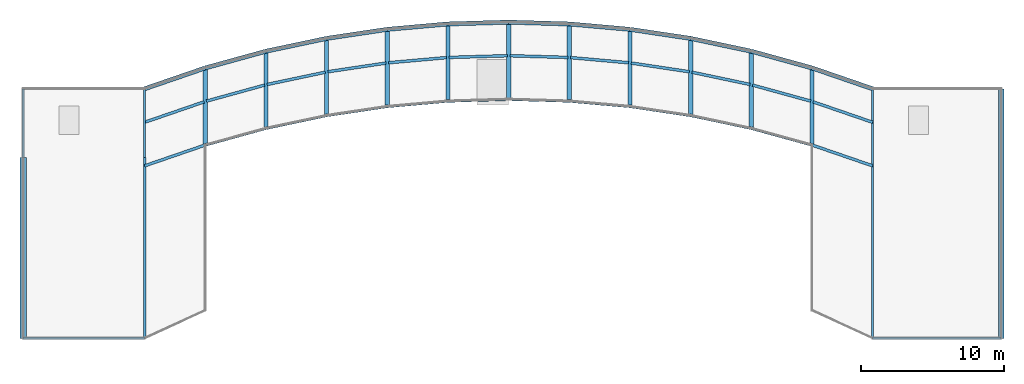
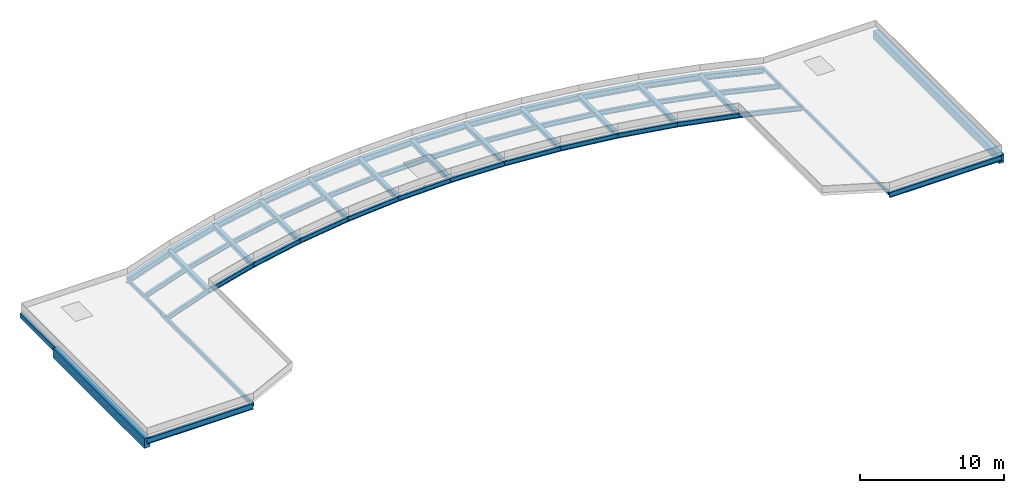
# One storey, part 1 of 3: 55 beams.
"""IFC4 building model written with IfcOpenShell, lengths in metres."""

import ifcopenshell
import ifcopenshell.guid

model = None  # the IFC model being written
_history = None  # IfcOwnerHistory: only IFC2X3 demands one
_inside = {}  # id of a spatial element -> (the spatial element, [elements in it])
_under = {}  # id of a project, library or spatial element -> (it, [spatial elements below it])
_declared = {}  # id of a project -> (the project, [libraries it declares])
_typed = {}  # id of a type object -> (the type object, [elements of that type])
_made_of = {}  # id of a material, layer set ... -> (it, [elements and type objects made of it])


def new_model(schema):
    """Start an empty IFC model of exactly this schema.

    Asked for "IFC4X3", IfcOpenShell would pick the latest addendum, in which some entities
    have other attributes; the version numbers below select the first issue.
    IFC2X3 requires an IfcOwnerHistory on every rooted entity: one is made here for all.
    """
    global model, _history
    if schema == "IFC4X3":
        model = ifcopenshell.file(schema_version=(4, 3, 0, 0))
    else:
        model = ifcopenshell.file(schema=schema)
    _inside.clear()
    _under.clear()
    _declared.clear()
    _typed.clear()
    _made_of.clear()
    _history = None
    if model.schema == "IFC2X3":
        org = make("IfcOrganization", Name="unknown")
        user = make(
            "IfcPersonAndOrganization",
            ThePerson=make("IfcPerson", FamilyName="unknown"),
            TheOrganization=org,
        )
        app = make(
            "IfcApplication",
            ApplicationDeveloper=org,
            Version="unknown",
            ApplicationFullName="unknown",
            ApplicationIdentifier="unknown",
        )
        _history = make(
            "IfcOwnerHistory",
            OwningUser=user,
            OwningApplication=app,
            ChangeAction="ADDED",
            CreationDate=0,
        )
    return model


def make(cls, **values):
    """One entity of the class cls with the attributes given. An attribute that is None is left unset."""
    return model.create_entity(
        cls, **{name: value for name, value in values.items() if value is not None}
    )


def rooted(cls, **values):
    """An entity with a GlobalId (a new one), such as an element, a storey or a relation."""
    return make(cls, GlobalId=ifcopenshell.guid.new(), OwnerHistory=_history, **values)


def si_unit(unit_type, name, prefix=None):
    """IfcSIUnit, for example si_unit("LENGTHUNIT", "METRE", prefix="MILLI")."""
    return make("IfcSIUnit", UnitType=unit_type, Prefix=prefix, Name=name)


def assignment(units):
    """IfcUnitAssignment: the units of a project."""
    return None if units is None else make("IfcUnitAssignment", Units=units)


def point(xyz):
    """IfcCartesianPoint."""
    return None if xyz is None else make("IfcCartesianPoint", Coordinates=xyz)


def direction(xyz):
    """IfcDirection."""
    return None if xyz is None else make("IfcDirection", DirectionRatios=xyz)


def frame(location, z_axis=None, x_axis=None):
    """IfcAxis2Placement3D, a coordinate frame: its origin and axes. An axis left out is left unset."""
    return make(
        "IfcAxis2Placement3D",
        Location=point(location),
        Axis=direction(z_axis),
        RefDirection=direction(x_axis),
    )


def frame_2d(location, x_axis=None):
    """IfcAxis2Placement2D, a coordinate frame in the plane: its origin and x axis."""
    return make(
        "IfcAxis2Placement2D", Location=point(location), RefDirection=direction(x_axis)
    )


def origin():
    """The frame at (0, 0, 0) with its axes left unset."""
    return frame((0.0, 0.0, 0.0))


def origin_2d():
    """The frame at (0, 0) in the plane with its x axis left unset."""
    return frame_2d((0.0, 0.0))


def place(relative_to, where):
    """IfcLocalPlacement: puts the frame where relative to a parent placement (None: the world)."""
    return make(
        "IfcLocalPlacement", PlacementRelTo=relative_to, RelativePlacement=where
    )


def context(
    kind, dimensions, precision=None, world=None, true_north=None, identifier=None
):
    """IfcGeometricRepresentationContext, for example the 3D "Model" context."""
    return make(
        "IfcGeometricRepresentationContext",
        ContextIdentifier=identifier,
        ContextType=kind,
        CoordinateSpaceDimension=dimensions,
        Precision=precision,
        WorldCoordinateSystem=world,
        TrueNorth=true_north,
    )


def subcontext(parent, identifier, kind, view, scale=None):
    """IfcGeometricRepresentationSubContext, for example "Body" below "Model"."""
    return make(
        "IfcGeometricRepresentationSubContext",
        ContextIdentifier=identifier,
        ContextType=kind,
        ParentContext=parent,
        TargetScale=scale,
        TargetView=view,
    )


def project(units=None, contexts=None):
    """IfcProject with its units and contexts."""
    return rooted(
        "IfcProject",
        Name="project",
        RepresentationContexts=contexts,
        UnitsInContext=assignment(units),
    )


def spatial(cls, under=None, at=None, **own):
    """A site, building, storey or space (cls), placed at a placement, below another one or the project."""
    s = rooted(cls, ObjectPlacement=at, **own)
    if under is not None:
        _under.setdefault(under.id(), (under, []))[1].append(s)
    return s


def profile(cls, at=None, kind="AREA", **sizes):
    """A parametric profile (cls). Its sizes go by their IFC names, for example OverallWidth=200.0."""
    return make(cls, ProfileType=kind, Position=at, **sizes)


def rectangle(**sizes):
    """IfcRectangleProfileDef."""
    return profile("IfcRectangleProfileDef", **sizes)


def hollow_rectangle(**sizes):
    """IfcRectangleHollowProfileDef."""
    return profile("IfcRectangleHollowProfileDef", **sizes)


def i_section(**sizes):
    """IfcIShapeProfileDef."""
    return profile("IfcIShapeProfileDef", **sizes)


def extrude(swept, where, along, depth):
    """IfcExtrudedAreaSolid: the profile swept, set in the frame where, extruded along a direction by depth."""
    return make(
        "IfcExtrudedAreaSolid",
        SweptArea=swept,
        Position=where,
        ExtrudedDirection=direction(along),
        Depth=depth,
    )


def shape(context_of_items, identifier, shape_type, items):
    """IfcShapeRepresentation: the items that make up one representation, for example the "Body"."""
    return make(
        "IfcShapeRepresentation",
        ContextOfItems=context_of_items,
        RepresentationIdentifier=identifier,
        RepresentationType=shape_type,
        Items=items,
    )


def material(Name=None, Category=None):
    """IfcMaterial."""
    return make("IfcMaterial", Name=Name, Category=Category)


def material_profile(
    of_material, cross_section, Name=None, Category=None, Priority=None
):
    """IfcMaterialProfile: a cross section and its material."""
    return make(
        "IfcMaterialProfile",
        Name=Name,
        Material=of_material,
        Profile=cross_section,
        Priority=Priority,
        Category=Category,
    )


def profile_set(profiles, Name=None, composite=None):
    """IfcMaterialProfileSet."""
    return make(
        "IfcMaterialProfileSet",
        Name=Name,
        MaterialProfiles=profiles,
        CompositeProfile=composite,
    )


def made_of(thing, what):
    """Note that an element or type object is made of a material, layer set ...; save() writes the relation."""
    if what is not None:
        _made_of.setdefault(what.id(), (what, []))[1].append(thing)
    return thing


def type_object(cls, material=None, **own):
    """A type object (cls), such as IfcWallType, which elements share."""
    return made_of(rooted(cls, **own), material)


def element(
    cls,
    number,
    at=None,
    inside=None,
    cuts=None,
    type_object=None,
    material=None,
    context=None,
    identifier="Body",
    shape_type=None,
    held_by="IfcProductDefinitionShape",
    body=None,
    shapes=None,
    **own,
):
    """One element of the class cls, such as IfcWall. Its Tag is "e" and its number.

    at: its placement. inside: the storey or other place that contains it. cuts: it is an
    opening in that element (IfcRelVoidsElement). A single representation is given by context,
    identifier, shape_type and body (its items); several are given by shapes. held_by: the class
    of the entity that holds the representations. save() writes the other relations.
    """
    e = rooted(cls, Tag="e%d" % number, ObjectPlacement=at, **own)
    if body is not None:
        shapes = [shape(context, identifier, shape_type, body)]
    if shapes is not None:
        e.Representation = make(held_by, Representations=shapes)
    if inside is not None:
        _inside.setdefault(inside.id(), (inside, []))[1].append(e)
    if cuts is not None:
        rooted(
            "IfcRelVoidsElement", RelatingBuildingElement=cuts, RelatedOpeningElement=e
        )
    if type_object is not None:
        _typed.setdefault(type_object.id(), (type_object, []))[1].append(e)
    return made_of(e, material)


def aggregate(whole, parts):
    """IfcRelAggregates: a whole, such as a stair, and the parts it consists of."""
    return rooted("IfcRelAggregates", RelatingObject=whole, RelatedObjects=parts)


def save(model, path):
    """Write the relations noted so far, then the file.

    IfcRelAggregates (storeys below a building ...), IfcRelContainedInSpatialStructure (elements
    in a storey), IfcRelDefinesByType, IfcRelAssociatesMaterial and IfcRelDeclares: one each for
    every whole, place, type object, material and project.
    """
    for whole, parts in _under.values():
        aggregate(whole, parts)
    for where, things in _inside.values():
        rooted(
            "IfcRelContainedInSpatialStructure",
            RelatedElements=things,
            RelatingStructure=where,
        )
    for kind, things in _typed.values():
        rooted("IfcRelDefinesByType", RelatedObjects=things, RelatingType=kind)
    for what, things in _made_of.values():
        rooted("IfcRelAssociatesMaterial", RelatedObjects=things, RelatingMaterial=what)
    for by, libraries in _declared.values():
        rooted("IfcRelDeclares", RelatingContext=by, RelatedDefinitions=libraries)
    model.write(path)


model = new_model("IFC4")

# Units and contexts
model_context = context("Model", 3, precision=1e-05, world=origin(), true_north=direction((0.0, 1.0)))
body_context = subcontext(model_context, "Body", "Model", "MODEL_VIEW")
ifc_project = project(units=[si_unit("LENGTHUNIT", "METRE"), si_unit("AREAUNIT", "SQUARE_METRE"), si_unit("VOLUMEUNIT", "CUBIC_METRE"), si_unit("PLANEANGLEUNIT", "RADIAN"), si_unit("MASSUNIT", "GRAM", prefix="KILO")], contexts=[model_context])

# Site, building, storey
site_placement = place(None, origin())
site = spatial("IfcSite", under=ifc_project, at=site_placement, CompositionType="ELEMENT")
building_placement = place(site_placement, origin())
building = spatial("IfcBuilding", under=site, at=building_placement, Name="Solvikara Media Centre", CompositionType="ELEMENT")
storey_placement = place(building_placement, frame((0.0, 0.0, 34.199951171875)))
storey = spatial("IfcBuildingStorey", under=building, at=storey_placement, Name="RF", CompositionType="ELEMENT", Elevation=34.199951171875)

# Beams
ifc_material_1 = material(Name="Concrete fc' 35 MPa (C35/45)", Category="concrete")
ifc_material_profile_1 = material_profile(ifc_material_1, rectangle(XDim=0.39990234375, YDim=0.699951171875, at=origin_2d()), Name="RC 400x700")
ifc_profile_set_1 = profile_set([ifc_material_profile_1], Name="Concrete fc' 35 MPa (C35/45)")
beam_type_1 = type_object("IfcBeamType", Name="BM-13", PredefinedType="SPANDREL", material=ifc_profile_set_1)
beam_1_placement = place(storey_placement, frame((136.5, 19.323974609375, -0.659912109375), z_axis=(0.0, 1.0, 0.0), x_axis=(-1.0, 0.0, 0.0)))
element("IfcBeam", 1, at=beam_1_placement, inside=storey, type_object=beam_type_1, Name="B-RF-Y1741", PredefinedType="SPANDREL", context=body_context, shape_type="SweptSolid", body=[
    extrude(rectangle(XDim=0.39990234375, YDim=0.699951171875, at=origin_2d()), origin(), (0.0, 0.0, 1.0), 17.47607421875),
])
ifc_material_profile_2 = material_profile(ifc_material_1, rectangle(XDim=0.449951171875, YDim=0.85009765625, at=origin_2d()), Name="RC 450x850")
ifc_profile_set_2 = profile_set([ifc_material_profile_2], Name="Concrete fc' 35 MPa (C35/45)")
beam_type_2 = type_object("IfcBeamType", Name="BM-14", PredefinedType="SPANDREL", material=ifc_profile_set_2)
beam_2_placement = place(storey_placement, frame((68.0, 19.323974609375, -0.73486328125), z_axis=(0.0, 1.0, 0.0), x_axis=(-1.0, 0.0, 0.0)))
element("IfcBeam", 2, at=beam_2_placement, inside=storey, type_object=beam_type_2, Name="B-RF-Y1736", PredefinedType="SPANDREL", context=body_context, shape_type="SweptSolid", body=[
    extrude(rectangle(XDim=0.449951171875, YDim=0.85009765625, at=origin_2d()), origin(), (0.0, 0.0, 1.0), 12.676025390625),
])
ifc_material_2 = material(Name="Steel S355JR", Category="steel")
ifc_material_profile_3 = material_profile(ifc_material_2, i_section(OverallWidth=0.300048828125, OverallDepth=0.389892578125, WebThickness=0.010009765625, FlangeThickness=0.01611328125, at=origin_2d()), Name="H 390x300x10x16")
ifc_profile_set_3 = profile_set([ifc_material_profile_3], Name="Steel S355JR")
beam_type_3 = type_object("IfcBeamType", Name="BM-29", PredefinedType="BEAM", material=ifc_profile_set_3)
for number, where, z_axis, x_axis, name in (
    (3, (80.75, 32.860107421875, -0.5068359375), (0.0, 1.0, 0.0), (-1.0, 0.0, 0.0), "B-RF-TRV-01"),
    (4, (85.0, 34.031005859375, -0.5068359375), (0.0, 1.0, 0.0), (-1.0, 0.0, 0.0), "B-RF-TRV-02"),
):
    element("IfcBeam", number, at=place(storey_placement, frame(where, z_axis=z_axis, x_axis=x_axis)), inside=storey, type_object=beam_type_3, Name=name, PredefinedType="BEAM", context=body_context, shape_type="SweptSolid", body=[
        extrude(i_section(OverallWidth=0.300048828125, OverallDepth=0.389892578125, WebThickness=0.010009765625, FlangeThickness=0.01611328125, at=origin_2d()), origin(), (0.0, 0.0, 1.0), 5.39990234375),
    ])
for number, where, z_axis, x_axis, name in (
    (5, (89.25, 34.928955078125, -0.5068359375), (0.0, 1.0, 0.0), (-1.0, 0.0, 0.0), "B-RF-TRV-03"),
    (6, (93.5, 35.56396484375, -0.5068359375), (0.0, 1.0, 0.0), (-1.0, 0.0, 0.0), "B-RF-TRV-04"),
    (7, (97.75, 35.94091796875, -0.5068359375), (0.0, 1.0, 0.0), (-1.0, 0.0, 0.0), "B-RF-TRV-05"),
    (8, (102.0, 36.06689453125, -0.5068359375), (0.0, 1.0, 0.0), (-1.0, 0.0, 0.0), "B-RF-TRV-06"),
    (9, (106.25, 35.94091796875, -0.5068359375), (0.0, 1.0, 0.0), (-1.0, 0.0, 0.0), "B-RF-TRV-07"),
    (10, (110.5, 35.56396484375, -0.5068359375), (0.0, 1.0, 0.0), (-1.0, 0.0, 0.0), "B-RF-TRV-08"),
    (11, (114.75, 34.928955078125, -0.5068359375), (0.0, 1.0, 0.0), (-1.0, 0.0, 0.0), "B-RF-TRV-09"),
):
    element("IfcBeam", number, at=place(storey_placement, frame(where, z_axis=z_axis, x_axis=x_axis)), inside=storey, type_object=beam_type_3, Name=name, PredefinedType="BEAM", context=body_context, shape_type="SweptSolid", body=[
        extrude(i_section(OverallWidth=0.300048828125, OverallDepth=0.389892578125, WebThickness=0.010009765625, FlangeThickness=0.01611328125, at=origin_2d()), origin(), (0.0, 0.0, 1.0), 5.400146484375),
    ])
for number, where, z_axis, x_axis, name in (
    (12, (119.0, 34.031005859375, -0.5068359375), (0.0, 1.0, 0.0), (-1.0, 0.0, 0.0), "B-RF-TRV-10"),
    (13, (123.25, 32.860107421875, -0.5068359375), (0.0, 1.0, 0.0), (-1.0, 0.0, 0.0), "B-RF-TRV-11"),
):
    element("IfcBeam", number, at=place(storey_placement, frame(where, z_axis=z_axis, x_axis=x_axis)), inside=storey, type_object=beam_type_3, Name=name, PredefinedType="BEAM", context=body_context, shape_type="SweptSolid", body=[
        extrude(i_section(OverallWidth=0.300048828125, OverallDepth=0.389892578125, WebThickness=0.010009765625, FlangeThickness=0.01611328125, at=origin_2d()), origin(), (0.0, 0.0, 1.0), 5.39990234375),
    ])
ifc_material_profile_4 = material_profile(ifc_material_2, i_section(OverallWidth=0.300048828125, OverallDepth=0.48193359375, WebThickness=0.010986328125, FlangeThickness=0.014892578125, at=origin_2d()), Name="WF 482x300x11x15")
ifc_profile_set_4 = profile_set([ifc_material_profile_4], Name="Steel S355JR")
beam_type_4 = type_object("IfcBeamType", Name="BM-32", PredefinedType="SPANDREL", material=ifc_profile_set_4)
beam_3_placement = place(storey_placement, frame((76.5, 36.800048828125, -0.552978515625), z_axis=(0.945753386984, 0.324885412119, 0.0), x_axis=(-0.324885412119, 0.945753386984, 0.0)))
element("IfcBeam", 14, at=beam_3_placement, inside=storey, type_object=beam_type_4, Name="B-RF-NARC-00", PredefinedType="SPANDREL", context=body_context, shape_type="SweptSolid", body=[
    extrude(i_section(OverallWidth=0.300048828125, OverallDepth=0.48193359375, WebThickness=0.010986328125, FlangeThickness=0.014892578125, at=origin_2d()), origin(), (0.0, 0.0, 1.0), 4.49365234375),
])
beam_4_placement = place(storey_placement, frame((80.75, 38.260009765625, -0.552978515625), z_axis=(0.964080686077, 0.265609545636, 0.0), x_axis=(-0.265609545636, 0.964080686077, 0.0)))
element("IfcBeam", 15, at=beam_4_placement, inside=storey, type_object=beam_type_4, Name="B-RF-NARC-01", PredefinedType="SPANDREL", context=body_context, shape_type="SweptSolid", body=[
    extrude(i_section(OverallWidth=0.300048828125, OverallDepth=0.48193359375, WebThickness=0.010986328125, FlangeThickness=0.014892578125, at=origin_2d()), origin(), (0.0, 0.0, 1.0), 4.408447265625),
])
beam_5_placement = place(storey_placement, frame((85.0, 39.430908203125, -0.552978515625), z_axis=(0.978389077526, 0.206772369957, 0.0), x_axis=(-0.206772369957, 0.978389077526, 0.0)))
element("IfcBeam", 16, at=beam_5_placement, inside=storey, type_object=beam_type_4, Name="B-RF-NARC-02", PredefinedType="SPANDREL", context=body_context, shape_type="SweptSolid", body=[
    extrude(i_section(OverallWidth=0.300048828125, OverallDepth=0.48193359375, WebThickness=0.010986328125, FlangeThickness=0.014892578125, at=origin_2d()), origin(), (0.0, 0.0, 1.0), 4.343994140625),
])
beam_6_placement = place(storey_placement, frame((89.25, 40.3291015625, -0.552978515625), z_axis=(0.989021203369, 0.147773675894, 0.0), x_axis=(-0.147773675894, 0.989021203369, 0.0)))
element("IfcBeam", 17, at=beam_6_placement, inside=storey, type_object=beam_type_4, Name="B-RF-NARC-03", PredefinedType="SPANDREL", context=body_context, shape_type="SweptSolid", body=[
    extrude(i_section(OverallWidth=0.300048828125, OverallDepth=0.48193359375, WebThickness=0.010986328125, FlangeThickness=0.014892578125, at=origin_2d()), origin(), (0.0, 0.0, 1.0), 4.297119140625),
])
beam_7_placement = place(storey_placement, frame((93.5, 40.964111328125, -0.552978515625), z_axis=(0.996089667749, 0.088348026597, 0.0), x_axis=(-0.088348026597, 0.996089667749, 0.0)))
element("IfcBeam", 18, at=beam_7_placement, inside=storey, type_object=beam_type_4, Name="B-RF-NARC-04", PredefinedType="SPANDREL", context=body_context, shape_type="SweptSolid", body=[
    extrude(i_section(OverallWidth=0.300048828125, OverallDepth=0.48193359375, WebThickness=0.010986328125, FlangeThickness=0.014892578125, at=origin_2d()), origin(), (0.0, 0.0, 1.0), 4.2666015625),
])
for number, where, z_axis, x_axis, name in (
    (19, (97.75, 41.341064453125, -0.552978515625), (0.99956097871, 0.029628530849, 0.0), (-0.029628530849, 0.99956097871, 0.0), "B-RF-NARC-05"),
    (20, (102.0, 41.467041015625, -0.552978515625), (0.99956097871, -0.029628530849, 0.0), (0.029628530849, 0.99956097871, 0.0), "B-RF-NARC-06"),
):
    element("IfcBeam", number, at=place(storey_placement, frame(where, z_axis=z_axis, x_axis=x_axis)), inside=storey, type_object=beam_type_4, Name=name, PredefinedType="SPANDREL", context=body_context, shape_type="SweptSolid", body=[
        extrude(i_section(OverallWidth=0.300048828125, OverallDepth=0.48193359375, WebThickness=0.010986328125, FlangeThickness=0.014892578125, at=origin_2d()), origin(), (0.0, 0.0, 1.0), 4.251953125),
    ])
beam_8_placement = place(storey_placement, frame((106.25, 41.341064453125, -0.552978515625), z_axis=(0.996089667749, -0.088348026597, 0.0), x_axis=(0.088348026597, 0.996089667749, 0.0)))
element("IfcBeam", 21, at=beam_8_placement, inside=storey, type_object=beam_type_4, Name="B-RF-NARC-07", PredefinedType="SPANDREL", context=body_context, shape_type="SweptSolid", body=[
    extrude(i_section(OverallWidth=0.300048828125, OverallDepth=0.48193359375, WebThickness=0.010986328125, FlangeThickness=0.014892578125, at=origin_2d()), origin(), (0.0, 0.0, 1.0), 4.2666015625),
])
beam_9_placement = place(storey_placement, frame((110.5, 40.964111328125, -0.552978515625), z_axis=(0.989021203369, -0.147773675894, 0.0), x_axis=(0.147773675894, 0.989021203369, 0.0)))
element("IfcBeam", 22, at=beam_9_placement, inside=storey, type_object=beam_type_4, Name="B-RF-NARC-08", PredefinedType="SPANDREL", context=body_context, shape_type="SweptSolid", body=[
    extrude(i_section(OverallWidth=0.300048828125, OverallDepth=0.48193359375, WebThickness=0.010986328125, FlangeThickness=0.014892578125, at=origin_2d()), origin(), (0.0, 0.0, 1.0), 4.297119140625),
])
beam_10_placement = place(storey_placement, frame((114.75, 40.3291015625, -0.552978515625), z_axis=(0.978389077526, -0.206772369957, 0.0), x_axis=(0.206772369957, 0.978389077526, 0.0)))
element("IfcBeam", 23, at=beam_10_placement, inside=storey, type_object=beam_type_4, Name="B-RF-NARC-09", PredefinedType="SPANDREL", context=body_context, shape_type="SweptSolid", body=[
    extrude(i_section(OverallWidth=0.300048828125, OverallDepth=0.48193359375, WebThickness=0.010986328125, FlangeThickness=0.014892578125, at=origin_2d()), origin(), (0.0, 0.0, 1.0), 4.343994140625),
])
beam_11_placement = place(storey_placement, frame((119.0, 39.430908203125, -0.552978515625), z_axis=(0.964080686077, -0.265609545636, 0.0), x_axis=(0.265609545636, 0.964080686077, 0.0)))
element("IfcBeam", 24, at=beam_11_placement, inside=storey, type_object=beam_type_4, Name="B-RF-NARC-10", PredefinedType="SPANDREL", context=body_context, shape_type="SweptSolid", body=[
    extrude(i_section(OverallWidth=0.300048828125, OverallDepth=0.48193359375, WebThickness=0.010986328125, FlangeThickness=0.014892578125, at=origin_2d()), origin(), (0.0, 0.0, 1.0), 4.408447265625),
])
beam_12_placement = place(storey_placement, frame((123.25, 38.260009765625, -0.552978515625), z_axis=(0.945753386984, -0.324885412119, 0.0), x_axis=(0.324885412119, 0.945753386984, 0.0)))
element("IfcBeam", 25, at=beam_12_placement, inside=storey, type_object=beam_type_4, Name="B-RF-NARC-11", PredefinedType="SPANDREL", context=body_context, shape_type="SweptSolid", body=[
    extrude(i_section(OverallWidth=0.300048828125, OverallDepth=0.48193359375, WebThickness=0.010986328125, FlangeThickness=0.014892578125, at=origin_2d()), origin(), (0.0, 0.0, 1.0), 4.49365234375),
])
ifc_material_profile_5 = material_profile(ifc_material_2, hollow_rectangle(XDim=0.199951171875, YDim=0.39990234375, WallThickness=0.011962890625, at=origin_2d()), Name="RHS 400x200x12")
ifc_profile_set_5 = profile_set([ifc_material_profile_5], Name="Steel S355JR")
beam_type_5 = type_object("IfcBeamType", Name="BM-33", PredefinedType="SPANDREL", material=ifc_profile_set_5)
beam_13_placement = place(storey_placement, frame((68.0, 32.0, -0.511962890625), z_axis=(0.0, 1.0, 0.0), x_axis=(-1.0, 0.0, 0.0)))
element("IfcBeam", 26, at=beam_13_placement, inside=storey, type_object=beam_type_5, Name="B-RF-Y1737", PredefinedType="SPANDREL", context=body_context, shape_type="SweptSolid", body=[
    extrude(hollow_rectangle(XDim=0.199951171875, YDim=0.39990234375, WallThickness=0.011962890625, at=origin_2d()), origin(), (0.0, 0.0, 1.0), 4.800048828125),
])
ifc_material_profile_6 = material_profile(ifc_material_2, hollow_rectangle(XDim=0.175048828125, YDim=0.35009765625, WallThickness=0.010009765625, at=origin_2d()), Name="RHS 350x175x10")
ifc_profile_set_6 = profile_set([ifc_material_profile_6], Name="Steel S355JR")
beam_type_6 = type_object("IfcBeamType", Name="BM-34", PredefinedType="SPANDREL", material=ifc_profile_set_6)
beam_14_placement = place(storey_placement, frame((76.5, 19.323974609375, -0.487060546875), z_axis=(0.0, 1.0, 0.0), x_axis=(-1.0, 0.0, 0.0)))
element("IfcBeam", 27, at=beam_14_placement, inside=storey, type_object=beam_type_6, Name="B-RF-Y1738", PredefinedType="SPANDREL", context=body_context, shape_type="SweptSolid", body=[
    extrude(hollow_rectangle(XDim=0.175048828125, YDim=0.35009765625, WallThickness=0.010009765625, at=origin_2d()), origin(), (0.0, 0.0, 1.0), 12.676025390625),
])
ifc_material_profile_7 = material_profile(ifc_material_2, hollow_rectangle(XDim=0.14990234375, YDim=0.300048828125, WallThickness=0.010009765625, at=origin_2d()), Name="RHS 300x150x10")
ifc_profile_set_7 = profile_set([ifc_material_profile_7], Name="Steel S355JR")
beam_type_7 = type_object("IfcBeamType", Name="BM-35", PredefinedType="BEAM", material=ifc_profile_set_7)
beam_15_placement = place(storey_placement, frame((76.5, 32.0, -0.4619140625), z_axis=(0.0, 1.0, 0.0), x_axis=(-1.0, 0.0, 0.0)))
element("IfcBeam", 28, at=beam_15_placement, inside=storey, type_object=beam_type_7, Name="B-RF-Y1739", PredefinedType="BEAM", context=body_context, shape_type="SweptSolid", body=[
    extrude(hollow_rectangle(XDim=0.14990234375, YDim=0.300048828125, WallThickness=0.010009765625, at=origin_2d()), origin(), (0.0, 0.0, 1.0), 4.800048828125),
])
ifc_material_profile_8 = material_profile(ifc_material_2, hollow_rectangle(XDim=0.14990234375, YDim=0.25, WallThickness=0.008056640625, at=origin_2d()), Name="RHS 250x150x8")
ifc_profile_set_8 = profile_set([ifc_material_profile_8], Name="Steel S355JR")
beam_type_8 = type_object("IfcBeamType", Name="BM-36", PredefinedType="JOIST", material=ifc_profile_set_8)
beam_16_placement = place(storey_placement, frame((127.5, 19.323974609375, -0.43701171875), z_axis=(0.0, 1.0, 0.0), x_axis=(-1.0, 0.0, 0.0)))
element("IfcBeam", 29, at=beam_16_placement, inside=storey, type_object=beam_type_8, Name="B-RF-Y1740", PredefinedType="JOIST", context=body_context, shape_type="SweptSolid", body=[
    extrude(hollow_rectangle(XDim=0.14990234375, YDim=0.25, WallThickness=0.008056640625, at=origin_2d()), origin(), (0.0, 0.0, 1.0), 17.47607421875),
])
ifc_material_profile_9 = material_profile(ifc_material_2, i_section(OverallWidth=0.198974609375, OverallDepth=0.49609375, WebThickness=0.009033203125, FlangeThickness=0.013916015625, at=origin_2d()), Name="H 496x199x9x14")
ifc_profile_set_9 = profile_set([ifc_material_profile_9], Name="Steel S355JR")
beam_type_9 = type_object("IfcBeamType", Name="BM-42", PredefinedType="BEAM", material=ifc_profile_set_9)
beam_17_placement = place(storey_placement, frame((68.0, 19.320068359375, -0.56005859375), z_axis=(1.0, 0.0, 0.0), x_axis=(0.0, 1.0, 0.0)))
element("IfcBeam", 30, at=beam_17_placement, inside=storey, type_object=beam_type_9, Name="B-RF-X1734", PredefinedType="BEAM", context=body_context, shape_type="SweptSolid", body=[
    extrude(i_section(OverallWidth=0.198974609375, OverallDepth=0.49609375, WebThickness=0.009033203125, FlangeThickness=0.013916015625, at=origin_2d()), origin(), (0.0, 0.0, 1.0), 8.5),
])
ifc_material_profile_10 = material_profile(ifc_material_2, i_section(OverallWidth=0.198974609375, OverallDepth=0.446044921875, WebThickness=0.008056640625, FlangeThickness=0.011962890625, at=origin_2d()), Name="H 446x199x8x12")
ifc_profile_set_10 = profile_set([ifc_material_profile_10], Name="Steel S355JR")
beam_type_10 = type_object("IfcBeamType", Name="BM-43", PredefinedType="BEAM", material=ifc_profile_set_10)
beam_18_placement = place(storey_placement, frame((127.5, 19.320068359375, -0.534912109375), z_axis=(1.0, 0.0, 0.0), x_axis=(0.0, 1.0, 0.0)))
element("IfcBeam", 31, at=beam_18_placement, inside=storey, type_object=beam_type_10, Name="B-RF-X1735", PredefinedType="BEAM", context=body_context, shape_type="SweptSolid", body=[
    extrude(i_section(OverallWidth=0.198974609375, OverallDepth=0.446044921875, WebThickness=0.008056640625, FlangeThickness=0.011962890625, at=origin_2d()), origin(), (0.0, 0.0, 1.0), 9.0),
])
ifc_material_profile_11 = material_profile(ifc_material_2, i_section(OverallWidth=0.198974609375, OverallDepth=0.39599609375, WebThickness=0.007080078125, FlangeThickness=0.010986328125, at=origin_2d()), Name="H 396x199x7x11")
ifc_profile_set_11 = profile_set([ifc_material_profile_11], Name="Steel S355JR")
beam_type_11 = type_object("IfcBeamType", Name="BM-44", PredefinedType="BEAM", material=ifc_profile_set_11)
beam_19_placement = place(storey_placement, frame((76.5, 31.39990234375, -0.510009765625), z_axis=(0.945736692925, 0.324934005077, 0.0), x_axis=(-0.324934005077, 0.945736692925, 0.0)))
element("IfcBeam", 32, at=beam_19_placement, inside=storey, type_object=beam_type_11, Name="B-RF-SGAL-00", PredefinedType="BEAM", context=body_context, shape_type="SweptSolid", body=[
    extrude(i_section(OverallWidth=0.198974609375, OverallDepth=0.39599609375, WebThickness=0.007080078125, FlangeThickness=0.010986328125, at=origin_2d()), origin(), (0.0, 0.0, 1.0), 4.493896484375),
])
beam_20_placement = place(storey_placement, frame((76.5, 34.449951171875, -0.510009765625), z_axis=(0.945727067042, 0.32496202034, 0.0), x_axis=(-0.32496202034, 0.945727067042, 0.0)))
element("IfcBeam", 33, at=beam_20_placement, inside=storey, type_object=beam_type_11, Name="B-RF-MGAL-00", PredefinedType="BEAM", context=body_context, shape_type="SweptSolid", body=[
    extrude(i_section(OverallWidth=0.198974609375, OverallDepth=0.39599609375, WebThickness=0.007080078125, FlangeThickness=0.010986328125, at=origin_2d()), origin(), (0.0, 0.0, 1.0), 4.404052734375),
])
beam_21_placement = place(storey_placement, frame((80.75, 32.860107421875, -0.510009765625), z_axis=(0.964080686077, 0.265609545636, 0.0), x_axis=(-0.265609545636, 0.964080686077, 0.0)))
element("IfcBeam", 34, at=beam_21_placement, inside=storey, type_object=beam_type_11, Name="B-RF-SGAL-01", PredefinedType="BEAM", context=body_context, shape_type="SweptSolid", body=[
    extrude(i_section(OverallWidth=0.198974609375, OverallDepth=0.39599609375, WebThickness=0.007080078125, FlangeThickness=0.010986328125, at=origin_2d()), origin(), (0.0, 0.0, 1.0), 4.408447265625),
])
beam_22_placement = place(storey_placement, frame((80.8369140625, 35.93408203125, -0.510009765625), z_axis=(0.964093106719, 0.265564458421, 0.0), x_axis=(-0.265564458421, 0.964093106719, 0.0)))
element("IfcBeam", 35, at=beam_22_placement, inside=storey, type_object=beam_type_11, Name="B-RF-MGAL-01", PredefinedType="BEAM", context=body_context, shape_type="SweptSolid", body=[
    extrude(i_section(OverallWidth=0.198974609375, OverallDepth=0.39599609375, WebThickness=0.007080078125, FlangeThickness=0.010986328125, at=origin_2d()), origin(), (0.0, 0.0, 1.0), 4.22802734375),
])
beam_23_placement = place(storey_placement, frame((85.0, 34.031005859375, -0.510009765625), z_axis=(0.978400446345, 0.206718568569, 0.0), x_axis=(-0.206718568569, 0.978400446345, 0.0)))
element("IfcBeam", 36, at=beam_23_placement, inside=storey, type_object=beam_type_11, Name="B-RF-SGAL-02", PredefinedType="BEAM", context=body_context, shape_type="SweptSolid", body=[
    extrude(i_section(OverallWidth=0.198974609375, OverallDepth=0.39599609375, WebThickness=0.007080078125, FlangeThickness=0.010986328125, at=origin_2d()), origin(), (0.0, 0.0, 1.0), 4.34375),
])
beam_24_placement = place(storey_placement, frame((85.087890625, 37.10009765625, -0.510009765625), z_axis=(0.978446395542, 0.206500971063, 0.0), x_axis=(-0.206500971063, 0.978446395542, 0.0)))
element("IfcBeam", 37, at=beam_24_placement, inside=storey, type_object=beam_type_11, Name="B-RF-MGAL-02", PredefinedType="BEAM", context=body_context, shape_type="SweptSolid", body=[
    extrude(i_section(OverallWidth=0.198974609375, OverallDepth=0.39599609375, WebThickness=0.007080078125, FlangeThickness=0.010986328125, at=origin_2d()), origin(), (0.0, 0.0, 1.0), 4.1640625),
])
beam_25_placement = place(storey_placement, frame((89.25, 34.928955078125, -0.510009765625), z_axis=(0.989021203369, 0.147773675894, 0.0), x_axis=(-0.147773675894, 0.989021203369, 0.0)))
element("IfcBeam", 38, at=beam_25_placement, inside=storey, type_object=beam_type_11, Name="B-RF-SGAL-03", PredefinedType="BEAM", context=body_context, shape_type="SweptSolid", body=[
    extrude(i_section(OverallWidth=0.198974609375, OverallDepth=0.39599609375, WebThickness=0.007080078125, FlangeThickness=0.010986328125, at=origin_2d()), origin(), (0.0, 0.0, 1.0), 4.297119140625),
])
beam_26_placement = place(storey_placement, frame((89.339111328125, 37.991943359375, -0.510009765625), z_axis=(0.98899456098, 0.147951878501, 0.0), x_axis=(-0.147951878501, 0.98899456098, 0.0)))
element("IfcBeam", 39, at=beam_26_placement, inside=storey, type_object=beam_type_11, Name="B-RF-MGAL-03", PredefinedType="BEAM", context=body_context, shape_type="SweptSolid", body=[
    extrude(i_section(OverallWidth=0.198974609375, OverallDepth=0.39599609375, WebThickness=0.007080078125, FlangeThickness=0.010986328125, at=origin_2d()), origin(), (0.0, 0.0, 1.0), 4.1171875),
])
beam_27_placement = place(storey_placement, frame((93.5, 35.56396484375, -0.510009765625), z_axis=(0.996089667749, 0.088348026597, 0.0), x_axis=(-0.088348026597, 0.996089667749, 0.0)))
element("IfcBeam", 40, at=beam_27_placement, inside=storey, type_object=beam_type_11, Name="B-RF-SGAL-04", PredefinedType="BEAM", context=body_context, shape_type="SweptSolid", body=[
    extrude(i_section(OverallWidth=0.198974609375, OverallDepth=0.39599609375, WebThickness=0.007080078125, FlangeThickness=0.010986328125, at=origin_2d()), origin(), (0.0, 0.0, 1.0), 4.2666015625),
])
beam_28_placement = place(storey_placement, frame((93.590087890625, 38.6220703125, -0.510009765625), z_axis=(0.996092523621, 0.08831582183, 0.0), x_axis=(-0.08831582183, 0.996092523621, 0.0)))
element("IfcBeam", 41, at=beam_28_placement, inside=storey, type_object=beam_type_11, Name="B-RF-MGAL-04", PredefinedType="BEAM", context=body_context, shape_type="SweptSolid", body=[
    extrude(i_section(OverallWidth=0.198974609375, OverallDepth=0.39599609375, WebThickness=0.007080078125, FlangeThickness=0.010986328125, at=origin_2d()), origin(), (0.0, 0.0, 1.0), 4.085693359375),
])
beam_29_placement = place(storey_placement, frame((97.75, 35.94091796875, -0.510009765625), z_axis=(0.99956097871, 0.029628530849, 0.0), x_axis=(-0.029628530849, 0.99956097871, 0.0)))
element("IfcBeam", 42, at=beam_29_placement, inside=storey, type_object=beam_type_11, Name="B-RF-SGAL-05", PredefinedType="BEAM", context=body_context, shape_type="SweptSolid", body=[
    extrude(i_section(OverallWidth=0.198974609375, OverallDepth=0.39599609375, WebThickness=0.007080078125, FlangeThickness=0.010986328125, at=origin_2d()), origin(), (0.0, 0.0, 1.0), 4.251953125),
])
beam_30_placement = place(storey_placement, frame((97.840087890625, 38.993896484375, -0.510009765625), z_axis=(0.999564743371, 0.029501250974, 0.0), x_axis=(-0.029501250974, 0.999564743371, 0.0)))
element("IfcBeam", 43, at=beam_30_placement, inside=storey, type_object=beam_type_11, Name="B-RF-MGAL-05", PredefinedType="BEAM", context=body_context, shape_type="SweptSolid", body=[
    extrude(i_section(OverallWidth=0.198974609375, OverallDepth=0.39599609375, WebThickness=0.007080078125, FlangeThickness=0.010986328125, at=origin_2d()), origin(), (0.0, 0.0, 1.0), 4.071533203125),
])
beam_31_placement = place(storey_placement, frame((102.0, 36.06689453125, -0.510009765625), z_axis=(0.99956097871, -0.029628530849, 0.0), x_axis=(0.029628530849, 0.99956097871, 0.0)))
element("IfcBeam", 44, at=beam_31_placement, inside=storey, type_object=beam_type_11, Name="B-RF-SGAL-06", PredefinedType="BEAM", context=body_context, shape_type="SweptSolid", body=[
    extrude(i_section(OverallWidth=0.198974609375, OverallDepth=0.39599609375, WebThickness=0.007080078125, FlangeThickness=0.010986328125, at=origin_2d()), origin(), (0.0, 0.0, 1.0), 4.251953125),
])
beam_32_placement = place(storey_placement, frame((102.090087890625, 39.114013671875, -0.510009765625), z_axis=(0.999564743371, -0.029501250974, 0.0), x_axis=(0.029501250974, 0.999564743371, 0.0)))
element("IfcBeam", 45, at=beam_32_placement, inside=storey, type_object=beam_type_11, Name="B-RF-MGAL-06", PredefinedType="BEAM", context=body_context, shape_type="SweptSolid", body=[
    extrude(i_section(OverallWidth=0.198974609375, OverallDepth=0.39599609375, WebThickness=0.007080078125, FlangeThickness=0.010986328125, at=origin_2d()), origin(), (0.0, 0.0, 1.0), 4.071533203125),
])
beam_33_placement = place(storey_placement, frame((106.25, 35.94091796875, -0.510009765625), z_axis=(0.996089667749, -0.088348026597, 0.0), x_axis=(0.088348026597, 0.996089667749, 0.0)))
element("IfcBeam", 46, at=beam_33_placement, inside=storey, type_object=beam_type_11, Name="B-RF-SGAL-07", PredefinedType="BEAM", context=body_context, shape_type="SweptSolid", body=[
    extrude(i_section(OverallWidth=0.198974609375, OverallDepth=0.39599609375, WebThickness=0.007080078125, FlangeThickness=0.010986328125, at=origin_2d()), origin(), (0.0, 0.0, 1.0), 4.2666015625),
])
beam_34_placement = place(storey_placement, frame((106.340087890625, 38.98291015625, -0.510009765625), z_axis=(0.996092523621, -0.08831582183, 0.0), x_axis=(0.08831582183, 0.996092523621, 0.0)))
element("IfcBeam", 47, at=beam_34_placement, inside=storey, type_object=beam_type_11, Name="B-RF-MGAL-07", PredefinedType="BEAM", context=body_context, shape_type="SweptSolid", body=[
    extrude(i_section(OverallWidth=0.198974609375, OverallDepth=0.39599609375, WebThickness=0.007080078125, FlangeThickness=0.010986328125, at=origin_2d()), origin(), (0.0, 0.0, 1.0), 4.085693359375),
])
beam_35_placement = place(storey_placement, frame((110.5, 35.56396484375, -0.510009765625), z_axis=(0.989021203369, -0.147773675894, 0.0), x_axis=(0.147773675894, 0.989021203369, 0.0)))
element("IfcBeam", 48, at=beam_35_placement, inside=storey, type_object=beam_type_11, Name="B-RF-SGAL-08", PredefinedType="BEAM", context=body_context, shape_type="SweptSolid", body=[
    extrude(i_section(OverallWidth=0.198974609375, OverallDepth=0.39599609375, WebThickness=0.007080078125, FlangeThickness=0.010986328125, at=origin_2d()), origin(), (0.0, 0.0, 1.0), 4.297119140625),
])
beam_36_placement = place(storey_placement, frame((110.589111328125, 38.60107421875, -0.510009765625), z_axis=(0.98899456098, -0.147951878501, 0.0), x_axis=(0.147951878501, 0.98899456098, 0.0)))
element("IfcBeam", 49, at=beam_36_placement, inside=storey, type_object=beam_type_11, Name="B-RF-MGAL-08", PredefinedType="BEAM", context=body_context, shape_type="SweptSolid", body=[
    extrude(i_section(OverallWidth=0.198974609375, OverallDepth=0.39599609375, WebThickness=0.007080078125, FlangeThickness=0.010986328125, at=origin_2d()), origin(), (0.0, 0.0, 1.0), 4.1171875),
])
beam_37_placement = place(storey_placement, frame((114.75, 34.928955078125, -0.510009765625), z_axis=(0.978400446345, -0.206718568569, 0.0), x_axis=(0.206718568569, 0.978400446345, 0.0)))
element("IfcBeam", 50, at=beam_37_placement, inside=storey, type_object=beam_type_11, Name="B-RF-SGAL-09", PredefinedType="BEAM", context=body_context, shape_type="SweptSolid", body=[
    extrude(i_section(OverallWidth=0.198974609375, OverallDepth=0.39599609375, WebThickness=0.007080078125, FlangeThickness=0.010986328125, at=origin_2d()), origin(), (0.0, 0.0, 1.0), 4.34375),
])
beam_38_placement = place(storey_placement, frame((114.837890625, 37.9599609375, -0.510009765625), z_axis=(0.978446395542, -0.206500971063, 0.0), x_axis=(0.206500971063, 0.978446395542, 0.0)))
element("IfcBeam", 51, at=beam_38_placement, inside=storey, type_object=beam_type_11, Name="B-RF-MGAL-09", PredefinedType="BEAM", context=body_context, shape_type="SweptSolid", body=[
    extrude(i_section(OverallWidth=0.198974609375, OverallDepth=0.39599609375, WebThickness=0.007080078125, FlangeThickness=0.010986328125, at=origin_2d()), origin(), (0.0, 0.0, 1.0), 4.1640625),
])
beam_39_placement = place(storey_placement, frame((119.0, 34.031005859375, -0.510009765625), z_axis=(0.964080686077, -0.265609545636, 0.0), x_axis=(0.265609545636, 0.964080686077, 0.0)))
element("IfcBeam", 52, at=beam_39_placement, inside=storey, type_object=beam_type_11, Name="B-RF-SGAL-10", PredefinedType="BEAM", context=body_context, shape_type="SweptSolid", body=[
    extrude(i_section(OverallWidth=0.198974609375, OverallDepth=0.39599609375, WebThickness=0.007080078125, FlangeThickness=0.010986328125, at=origin_2d()), origin(), (0.0, 0.0, 1.0), 4.408447265625),
])
beam_40_placement = place(storey_placement, frame((119.0869140625, 37.056884765625, -0.510009765625), z_axis=(0.964093106719, -0.265564458421, 0.0), x_axis=(0.265564458421, 0.964093106719, 0.0)))
element("IfcBeam", 53, at=beam_40_placement, inside=storey, type_object=beam_type_11, Name="B-RF-MGAL-10", PredefinedType="BEAM", context=body_context, shape_type="SweptSolid", body=[
    extrude(i_section(OverallWidth=0.198974609375, OverallDepth=0.39599609375, WebThickness=0.007080078125, FlangeThickness=0.010986328125, at=origin_2d()), origin(), (0.0, 0.0, 1.0), 4.22802734375),
])
beam_41_placement = place(storey_placement, frame((123.25, 32.860107421875, -0.510009765625), z_axis=(0.945736692925, -0.324934005077, 0.0), x_axis=(0.324934005077, 0.945736692925, 0.0)))
element("IfcBeam", 54, at=beam_41_placement, inside=storey, type_object=beam_type_11, Name="B-RF-SGAL-11", PredefinedType="BEAM", context=body_context, shape_type="SweptSolid", body=[
    extrude(i_section(OverallWidth=0.198974609375, OverallDepth=0.39599609375, WebThickness=0.007080078125, FlangeThickness=0.010986328125, at=origin_2d()), origin(), (0.0, 0.0, 1.0), 4.493896484375),
])
beam_42_placement = place(storey_placement, frame((123.3349609375, 35.881103515625, -0.510009765625), z_axis=(0.945727067042, -0.32496202034, 0.0), x_axis=(0.32496202034, 0.945727067042, 0.0)))
element("IfcBeam", 55, at=beam_42_placement, inside=storey, type_object=beam_type_11, Name="B-RF-MGAL-11", PredefinedType="BEAM", context=body_context, shape_type="SweptSolid", body=[
    extrude(i_section(OverallWidth=0.198974609375, OverallDepth=0.39599609375, WebThickness=0.007080078125, FlangeThickness=0.010986328125, at=origin_2d()), origin(), (0.0, 0.0, 1.0), 4.404052734375),
])

save(model, "model.ifc")
